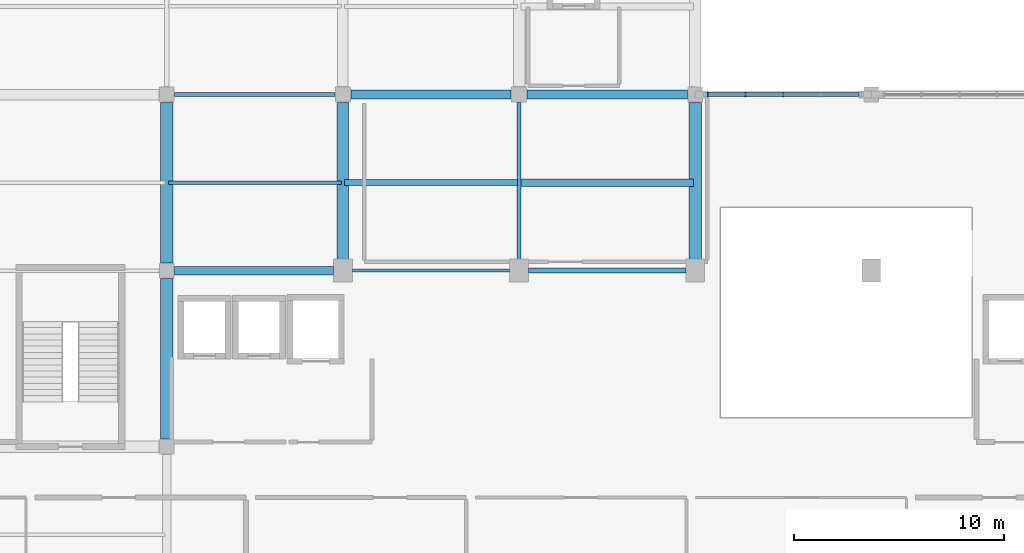
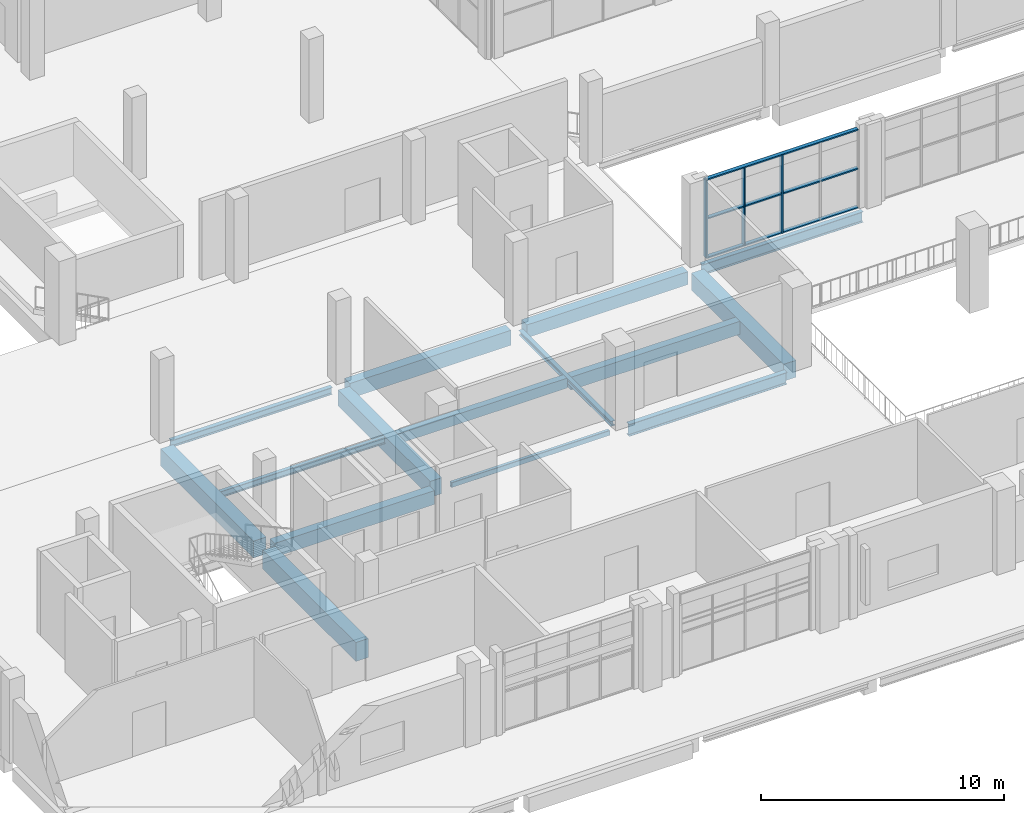
# One storey, part 12 of 59: 15 beams, 6 members, 1 element without a shape of its own.
"""IFC4 building model written with IfcOpenShell, lengths in metres."""

import ifcopenshell
import ifcopenshell.guid

model = None  # the IFC model being written
_history = None  # IfcOwnerHistory: only IFC2X3 demands one
_inside = {}  # id of a spatial element -> (the spatial element, [elements in it])
_under = {}  # id of a project, library or spatial element -> (it, [spatial elements below it])
_declared = {}  # id of a project -> (the project, [libraries it declares])
_typed = {}  # id of a type object -> (the type object, [elements of that type])
_made_of = {}  # id of a material, layer set ... -> (it, [elements and type objects made of it])


def new_model(schema):
    """Start an empty IFC model of exactly this schema.

    Asked for "IFC4X3", IfcOpenShell would pick the latest addendum, in which some entities
    have other attributes; the version numbers below select the first issue.
    IFC2X3 requires an IfcOwnerHistory on every rooted entity: one is made here for all.
    """
    global model, _history
    if schema == "IFC4X3":
        model = ifcopenshell.file(schema_version=(4, 3, 0, 0))
    else:
        model = ifcopenshell.file(schema=schema)
    _inside.clear()
    _under.clear()
    _declared.clear()
    _typed.clear()
    _made_of.clear()
    _history = None
    if model.schema == "IFC2X3":
        org = make("IfcOrganization", Name="unknown")
        user = make(
            "IfcPersonAndOrganization",
            ThePerson=make("IfcPerson", FamilyName="unknown"),
            TheOrganization=org,
        )
        app = make(
            "IfcApplication",
            ApplicationDeveloper=org,
            Version="unknown",
            ApplicationFullName="unknown",
            ApplicationIdentifier="unknown",
        )
        _history = make(
            "IfcOwnerHistory",
            OwningUser=user,
            OwningApplication=app,
            ChangeAction="ADDED",
            CreationDate=0,
        )
    return model


def make(cls, **values):
    """One entity of the class cls with the attributes given. An attribute that is None is left unset."""
    return model.create_entity(
        cls, **{name: value for name, value in values.items() if value is not None}
    )


def rooted(cls, **values):
    """An entity with a GlobalId (a new one), such as an element, a storey or a relation."""
    return make(cls, GlobalId=ifcopenshell.guid.new(), OwnerHistory=_history, **values)


def si_unit(unit_type, name, prefix=None):
    """IfcSIUnit, for example si_unit("LENGTHUNIT", "METRE", prefix="MILLI")."""
    return make("IfcSIUnit", UnitType=unit_type, Prefix=prefix, Name=name)


def derived_unit(unit_type, elements):
    """IfcDerivedUnit: a product of units, each with its exponent."""
    return make(
        "IfcDerivedUnit",
        Elements=[
            make("IfcDerivedUnitElement", Unit=unit, Exponent=power)
            for unit, power in elements
        ],
        UnitType=unit_type,
    )


def assignment(units):
    """IfcUnitAssignment: the units of a project."""
    return None if units is None else make("IfcUnitAssignment", Units=units)


def point(xyz):
    """IfcCartesianPoint."""
    return None if xyz is None else make("IfcCartesianPoint", Coordinates=xyz)


def direction(xyz):
    """IfcDirection."""
    return None if xyz is None else make("IfcDirection", DirectionRatios=xyz)


def frame(location, z_axis=None, x_axis=None):
    """IfcAxis2Placement3D, a coordinate frame: its origin and axes. An axis left out is left unset."""
    return make(
        "IfcAxis2Placement3D",
        Location=point(location),
        Axis=direction(z_axis),
        RefDirection=direction(x_axis),
    )


def frame_2d(location, x_axis=None):
    """IfcAxis2Placement2D, a coordinate frame in the plane: its origin and x axis."""
    return make(
        "IfcAxis2Placement2D", Location=point(location), RefDirection=direction(x_axis)
    )


def origin():
    """The frame at (0, 0, 0) with its axes left unset."""
    return frame((0.0, 0.0, 0.0))


def origin_2d():
    """The frame at (0, 0) in the plane with its x axis left unset."""
    return frame_2d((0.0, 0.0))


def place(relative_to, where):
    """IfcLocalPlacement: puts the frame where relative to a parent placement (None: the world)."""
    return make(
        "IfcLocalPlacement", PlacementRelTo=relative_to, RelativePlacement=where
    )


def context(
    kind, dimensions, precision=None, world=None, true_north=None, identifier=None
):
    """IfcGeometricRepresentationContext, for example the 3D "Model" context."""
    return make(
        "IfcGeometricRepresentationContext",
        ContextIdentifier=identifier,
        ContextType=kind,
        CoordinateSpaceDimension=dimensions,
        Precision=precision,
        WorldCoordinateSystem=world,
        TrueNorth=true_north,
    )


def subcontext(parent, identifier, kind, view, scale=None):
    """IfcGeometricRepresentationSubContext, for example "Body" below "Model"."""
    return make(
        "IfcGeometricRepresentationSubContext",
        ContextIdentifier=identifier,
        ContextType=kind,
        ParentContext=parent,
        TargetScale=scale,
        TargetView=view,
    )


def project(units=None, contexts=None):
    """IfcProject with its units and contexts."""
    return rooted(
        "IfcProject",
        Name="project",
        RepresentationContexts=contexts,
        UnitsInContext=assignment(units),
    )


def spatial(cls, under=None, at=None, **own):
    """A site, building, storey or space (cls), placed at a placement, below another one or the project."""
    s = rooted(cls, ObjectPlacement=at, **own)
    if under is not None:
        _under.setdefault(under.id(), (under, []))[1].append(s)
    return s


def profile(cls, at=None, kind="AREA", **sizes):
    """A parametric profile (cls). Its sizes go by their IFC names, for example OverallWidth=200.0."""
    return make(cls, ProfileType=kind, Position=at, **sizes)


def rectangle(**sizes):
    """IfcRectangleProfileDef."""
    return profile("IfcRectangleProfileDef", **sizes)


def hollow_rectangle(**sizes):
    """IfcRectangleHollowProfileDef."""
    return profile("IfcRectangleHollowProfileDef", **sizes)


def i_section(**sizes):
    """IfcIShapeProfileDef."""
    return profile("IfcIShapeProfileDef", **sizes)


def extrude(swept, where, along, depth):
    """IfcExtrudedAreaSolid: the profile swept, set in the frame where, extruded along a direction by depth."""
    return make(
        "IfcExtrudedAreaSolid",
        SweptArea=swept,
        Position=where,
        ExtrudedDirection=direction(along),
        Depth=depth,
    )


def shape(context_of_items, identifier, shape_type, items):
    """IfcShapeRepresentation: the items that make up one representation, for example the "Body"."""
    return make(
        "IfcShapeRepresentation",
        ContextOfItems=context_of_items,
        RepresentationIdentifier=identifier,
        RepresentationType=shape_type,
        Items=items,
    )


def material(Name=None, Category=None):
    """IfcMaterial."""
    return make("IfcMaterial", Name=Name, Category=Category)


def material_profile(
    of_material, cross_section, Name=None, Category=None, Priority=None
):
    """IfcMaterialProfile: a cross section and its material."""
    return make(
        "IfcMaterialProfile",
        Name=Name,
        Material=of_material,
        Profile=cross_section,
        Priority=Priority,
        Category=Category,
    )


def profile_set(profiles, Name=None, composite=None):
    """IfcMaterialProfileSet."""
    return make(
        "IfcMaterialProfileSet",
        Name=Name,
        MaterialProfiles=profiles,
        CompositeProfile=composite,
    )


def made_of(thing, what):
    """Note that an element or type object is made of a material, layer set ...; save() writes the relation."""
    if what is not None:
        _made_of.setdefault(what.id(), (what, []))[1].append(thing)
    return thing


def type_object(cls, material=None, **own):
    """A type object (cls), such as IfcWallType, which elements share."""
    return made_of(rooted(cls, **own), material)


def element(
    cls,
    number,
    at=None,
    inside=None,
    cuts=None,
    type_object=None,
    material=None,
    context=None,
    identifier="Body",
    shape_type=None,
    held_by="IfcProductDefinitionShape",
    body=None,
    shapes=None,
    **own,
):
    """One element of the class cls, such as IfcWall. Its Tag is "e" and its number.

    at: its placement. inside: the storey or other place that contains it. cuts: it is an
    opening in that element (IfcRelVoidsElement). A single representation is given by context,
    identifier, shape_type and body (its items); several are given by shapes. held_by: the class
    of the entity that holds the representations. save() writes the other relations.
    """
    e = rooted(cls, Tag="e%d" % number, ObjectPlacement=at, **own)
    if body is not None:
        shapes = [shape(context, identifier, shape_type, body)]
    if shapes is not None:
        e.Representation = make(held_by, Representations=shapes)
    if inside is not None:
        _inside.setdefault(inside.id(), (inside, []))[1].append(e)
    if cuts is not None:
        rooted(
            "IfcRelVoidsElement", RelatingBuildingElement=cuts, RelatedOpeningElement=e
        )
    if type_object is not None:
        _typed.setdefault(type_object.id(), (type_object, []))[1].append(e)
    return made_of(e, material)


def aggregate(whole, parts):
    """IfcRelAggregates: a whole, such as a stair, and the parts it consists of."""
    return rooted("IfcRelAggregates", RelatingObject=whole, RelatedObjects=parts)


def save(model, path):
    """Write the relations noted so far, then the file.

    IfcRelAggregates (storeys below a building ...), IfcRelContainedInSpatialStructure (elements
    in a storey), IfcRelDefinesByType, IfcRelAssociatesMaterial and IfcRelDeclares: one each for
    every whole, place, type object, material and project.
    """
    for whole, parts in _under.values():
        aggregate(whole, parts)
    for where, things in _inside.values():
        rooted(
            "IfcRelContainedInSpatialStructure",
            RelatedElements=things,
            RelatingStructure=where,
        )
    for kind, things in _typed.values():
        rooted("IfcRelDefinesByType", RelatedObjects=things, RelatingType=kind)
    for what, things in _made_of.values():
        rooted("IfcRelAssociatesMaterial", RelatedObjects=things, RelatingMaterial=what)
    for by, libraries in _declared.values():
        rooted("IfcRelDeclares", RelatingContext=by, RelatedDefinitions=libraries)
    model.write(path)


model = new_model("IFC4")

# Units and contexts
model_context = context("Model", 3, precision=1e-05, world=origin(), true_north=direction((0.0, 1.0)))
body_context = subcontext(model_context, "Body", "Model", "MODEL_VIEW")
ifc_project = project(units=[si_unit("LENGTHUNIT", "METRE"), si_unit("AREAUNIT", "SQUARE_METRE"), si_unit("VOLUMEUNIT", "CUBIC_METRE"), si_unit("PLANEANGLEUNIT", "RADIAN"), si_unit("MASSUNIT", "GRAM", prefix="KILO"), derived_unit("THERMALTRANSMITTANCEUNIT", [(si_unit("POWERUNIT", "WATT"), 1), (si_unit("LENGTHUNIT", "METRE"), -2), (si_unit("THERMODYNAMICTEMPERATUREUNIT", "KELVIN"), -1)])], contexts=[model_context])

# Site, building, storey
site_placement = place(None, origin())
site = spatial("IfcSite", under=ifc_project, at=site_placement, CompositionType="ELEMENT")
building_placement = place(site_placement, origin())
building = spatial("IfcBuilding", under=site, at=building_placement, Name="Barrovel Congress Hotel", CompositionType="ELEMENT")
storey_placement = place(building_placement, frame((0.0, 0.0, 9.89990234375)))
storey = spatial("IfcBuildingStorey", under=building, at=storey_placement, Name="L02", CompositionType="ELEMENT", Elevation=9.89990234375)

# Beams
ifc_material_1 = material(Name="Concrete C40", Category="concrete")
ifc_material_profile_1 = material_profile(ifc_material_1, rectangle(XDim=0.300048828125, YDim=0.5, at=origin_2d()), Name="RC300x500")
ifc_profile_set_1 = profile_set([ifc_material_profile_1], Name="Concrete C40")
beam_type_1 = type_object("IfcBeamType", Name="BM-RC300x500", PredefinedType="JOIST", material=ifc_profile_set_1)
beam_1_placement = place(storey_placement, frame((42.080078125, 25.199951171875, -0.510009765625), z_axis=(1.0, 0.0, 0.0), x_axis=(0.0, 1.0, 0.0)))
element("IfcBeam", 1, at=beam_1_placement, inside=storey, type_object=beam_type_1, Name="JST:L02:42.0:25.2", PredefinedType="JOIST", context=body_context, shape_type="SweptSolid", body=[
    extrude(rectangle(XDim=0.300048828125, YDim=0.5, at=origin_2d()), origin(), (0.0, 0.0, 1.0), 8.239990234375),
])
ifc_material_profile_2 = material_profile(ifc_material_1, rectangle(XDim=0.35009765625, YDim=0.64990234375, at=origin_2d()), Name="RC350x650")
ifc_profile_set_2 = profile_set([ifc_material_profile_2], Name="Concrete C40")
beam_type_2 = type_object("IfcBeamType", Name="BM-RC350x650", PredefinedType="JOIST", material=ifc_profile_set_2)
beam_2_placement = place(storey_placement, frame((50.47998046875, 25.199951171875, -0.5849609375), z_axis=(1.0, 0.0, 0.0), x_axis=(0.0, 1.0, 0.0)))
element("IfcBeam", 2, at=beam_2_placement, inside=storey, type_object=beam_type_2, Name="JST:L02:50.4:25.2", PredefinedType="JOIST", context=body_context, shape_type="SweptSolid", body=[
    extrude(rectangle(XDim=0.35009765625, YDim=0.64990234375, at=origin_2d()), origin(), (0.0, 0.0, 1.0), 8.239990234375),
])
ifc_material_profile_3 = material_profile(ifc_material_1, rectangle(XDim=0.39990234375, YDim=0.699951171875, at=origin_2d()), Name="RC400x700")
ifc_profile_set_3 = profile_set([ifc_material_profile_3], Name="Concrete C40")
beam_type_3 = type_object("IfcBeamType", Name="BM-RC400x700", PredefinedType="BEAM", material=ifc_profile_set_3)
beam_3_placement = place(storey_placement, frame((33.97509765625, 21.0, -0.60986328125), z_axis=(1.0, 0.0, 0.0), x_axis=(0.0, 1.0, 0.0)))
element("IfcBeam", 3, at=beam_3_placement, inside=storey, type_object=beam_type_3, Name="BMX:L02:21.0:33.6-42.0", PredefinedType="BEAM", context=body_context, shape_type="SweptSolid", body=[
    extrude(rectangle(XDim=0.39990234375, YDim=0.699951171875, at=origin_2d()), origin(), (0.0, 0.0, 1.0), 7.574951171875),
])
ifc_material_profile_4 = material_profile(ifc_material_1, rectangle(XDim=0.449951171875, YDim=0.64990234375, at=origin_2d()), Name="RC450x650")
ifc_profile_set_4 = profile_set([ifc_material_profile_4], Name="Concrete C40")
beam_type_4 = type_object("IfcBeamType", Name="BM-RC450x650", PredefinedType="BEAM", material=ifc_profile_set_4)
beam_4_placement = place(storey_placement, frame((50.77490234375, 29.39990234375, -0.5849609375), z_axis=(1.0, 0.0, 0.0), x_axis=(0.0, 1.0, 0.0)))
element("IfcBeam", 4, at=beam_4_placement, inside=storey, type_object=beam_type_4, Name="BMX:L02:29.4:50.4-58.8", PredefinedType="BEAM", context=body_context, shape_type="SweptSolid", body=[
    extrude(rectangle(XDim=0.449951171875, YDim=0.64990234375, at=origin_2d()), origin(), (0.0, 0.0, 1.0), 7.650146484375),
])
ifc_material_profile_5 = material_profile(ifc_material_1, rectangle(XDim=0.449951171875, YDim=0.75, at=origin_2d()), Name="RC450x750")
ifc_profile_set_5 = profile_set([ifc_material_profile_5], Name="Concrete C40")
beam_type_5 = type_object("IfcBeamType", Name="BM-RC450x750", PredefinedType="BEAM", material=ifc_profile_set_5)
beam_5_placement = place(storey_placement, frame((42.375, 29.39990234375, -0.635009765625), z_axis=(1.0, 0.0, 0.0), x_axis=(0.0, 1.0, 0.0)))
element("IfcBeam", 5, at=beam_5_placement, inside=storey, type_object=beam_type_5, Name="BMX:L02:29.4:42.0-50.4", PredefinedType="BEAM", context=body_context, shape_type="SweptSolid", body=[
    extrude(rectangle(XDim=0.449951171875, YDim=0.75, at=origin_2d()), origin(), (0.0, 0.0, 1.0), 7.64990234375),
])
ifc_material_profile_6 = material_profile(ifc_material_1, rectangle(XDim=0.550048828125, YDim=0.800048828125, at=origin_2d()), Name="RC550x800")
ifc_profile_set_6 = profile_set([ifc_material_profile_6], Name="Concrete C40")
beam_type_6 = type_object("IfcBeamType", Name="BM-RC550x800", PredefinedType="BEAM", material=ifc_profile_set_6)
beam_6_placement = place(storey_placement, frame((42.0, 21.449951171875, -0.659912109375), z_axis=(0.0, 1.0, 0.0), x_axis=(-1.0, 0.0, 0.0)))
element("IfcBeam", 6, at=beam_6_placement, inside=storey, type_object=beam_type_6, Name="BMY:L02:42.0:21.0-29.4", PredefinedType="BEAM", context=body_context, shape_type="SweptSolid", body=[
    extrude(rectangle(XDim=0.550048828125, YDim=0.800048828125, at=origin_2d()), origin(), (0.0, 0.0, 1.0), 7.574951171875),
])
ifc_material_profile_7 = material_profile(ifc_material_1, rectangle(XDim=0.60009765625, YDim=0.85009765625, at=origin_2d()), Name="RC600x850")
ifc_profile_set_7 = profile_set([ifc_material_profile_7], Name="Concrete C40")
beam_type_7 = type_object("IfcBeamType", Name="BM-RC600x850", PredefinedType="BEAM", material=ifc_profile_set_7)
beam_7_placement = place(storey_placement, frame((33.60009765625, 21.375, -0.684814453125), z_axis=(0.0, 1.0, 0.0), x_axis=(-1.0, 0.0, 0.0)))
element("IfcBeam", 7, at=beam_7_placement, inside=storey, type_object=beam_type_7, Name="BMY:L02:33.6:21.0-29.4", PredefinedType="BEAM", context=body_context, shape_type="SweptSolid", body=[
    extrude(rectangle(XDim=0.60009765625, YDim=0.85009765625, at=origin_2d()), origin(), (0.0, 0.0, 1.0), 7.64990234375),
])
beam_8_placement = place(storey_placement, frame((58.800048828125, 21.449951171875, -0.684814453125), z_axis=(0.0, 1.0, 0.0), x_axis=(-1.0, 0.0, 0.0)))
element("IfcBeam", 8, at=beam_8_placement, inside=storey, type_object=beam_type_7, Name="BMY:L02:58.8:21.0-29.4", PredefinedType="BEAM", context=body_context, shape_type="SweptSolid", body=[
    extrude(rectangle(XDim=0.60009765625, YDim=0.85009765625, at=origin_2d()), origin(), (0.0, 0.0, 1.0), 7.574951171875),
])
ifc_material_profile_8 = material_profile(ifc_material_1, rectangle(XDim=0.60009765625, YDim=0.949951171875, at=origin_2d()), Name="RC600x950")
ifc_profile_set_8 = profile_set([ifc_material_profile_8], Name="Concrete C40")
beam_type_8 = type_object("IfcBeamType", Name="BM-RC600x950", PredefinedType="BEAM", material=ifc_profile_set_8)
beam_9_placement = place(storey_placement, frame((33.60009765625, 12.97509765625, -0.73486328125), z_axis=(0.0, 1.0, 0.0), x_axis=(-1.0, 0.0, 0.0)))
element("IfcBeam", 9, at=beam_9_placement, inside=storey, type_object=beam_type_8, Name="BMY:L02:33.6:12.6-21.0", PredefinedType="BEAM", context=body_context, shape_type="SweptSolid", body=[
    extrude(rectangle(XDim=0.60009765625, YDim=0.949951171875, at=origin_2d()), origin(), (0.0, 0.0, 1.0), 7.64990234375),
])

# Curtain wall, members
ifc_material_2 = material(Name="Anodised Aluminium Alloy 6063-T6", Category="aluminium")
curtain_wall_type = type_object("IfcCurtainWallType", Name="CW-ST-7200x3600", PredefinedType="USERDEFINED", material=ifc_material_2)
curtain_wall_placement = place(storey_placement, origin())
curtain_wall = element("IfcCurtainWall", 10, at=curtain_wall_placement, inside=storey, type_object=curtain_wall_type, Name="CW:L02:CS:07", ObjectType="STICK CURTAIN WALL", PredefinedType="USERDEFINED")
ifc_material_profile_9 = material_profile(ifc_material_2, rectangle(XDim=0.06494140625, YDim=0.219970703125, at=origin_2d()), Name="AL-M65x220")
ifc_profile_set_9 = profile_set([ifc_material_profile_9], Name="Anodised Aluminium Alloy 6063-T6")
member_type_1 = type_object("IfcMemberType", Name="CWM-AL-M65x220", PredefinedType="MULLION", material=ifc_profile_set_9)
member_1_placement = place(storey_placement, frame((63.0, 29.39990234375, 0.0), z_axis=(0.0, 0.0, 1.0), x_axis=(1.0, 0.0, 0.0)))
member_1 = element("IfcMember", 11, at=member_1_placement, type_object=member_type_1, Name="CW:L02:CS:07:M2", PredefinedType="MULLION", context=body_context, shape_type="SweptSolid", body=[
    extrude(rectangle(XDim=0.06494140625, YDim=0.219970703125, at=origin_2d()), origin(), (0.0, 0.0, 1.0), 3.920166015625),
])
member_2_placement = place(storey_placement, frame((61.199951171875, 29.39990234375, 0.0), z_axis=(0.0, 0.0, 1.0), x_axis=(1.0, 0.0, 0.0)))
member_2 = element("IfcMember", 12, at=member_2_placement, type_object=member_type_1, Name="CW:L02:CS:07:M3", PredefinedType="MULLION", context=body_context, shape_type="SweptSolid", body=[
    extrude(rectangle(XDim=0.06494140625, YDim=0.219970703125, at=origin_2d()), origin(), (0.0, 0.0, 1.0), 3.920166015625),
])
member_3_placement = place(storey_placement, frame((59.39990234375, 29.39990234375, 0.0), z_axis=(0.0, 0.0, 1.0), x_axis=(1.0, 0.0, 0.0)))
member_3 = element("IfcMember", 13, at=member_3_placement, type_object=member_type_1, Name="CW:L02:CS:07:M4", PredefinedType="MULLION", context=body_context, shape_type="SweptSolid", body=[
    extrude(rectangle(XDim=0.06494140625, YDim=0.219970703125, at=origin_2d()), origin(), (0.0, 0.0, 1.0), 3.920166015625),
])
ifc_material_profile_10 = material_profile(ifc_material_2, rectangle(XDim=0.179931640625, YDim=0.06494140625, at=origin_2d()), Name="AL-T65x180")
ifc_profile_set_10 = profile_set([ifc_material_profile_10], Name="Anodised Aluminium Alloy 6063-T6")
member_type_2 = type_object("IfcMemberType", Name="CWT-AL-T65x180", PredefinedType="USERDEFINED", material=ifc_profile_set_10)
member_4_placement = place(storey_placement, frame((66.60009765625, 29.39990234375, 0.0), z_axis=(-1.0, 0.0, 0.0), x_axis=(0.0, -1.0, 0.0)))
member_4 = element("IfcMember", 14, at=member_4_placement, type_object=member_type_2, Name="CW:L02:CS:07:T0", ObjectType="TRANSOM", PredefinedType="USERDEFINED", context=body_context, shape_type="SweptSolid", body=[
    extrude(rectangle(XDim=0.179931640625, YDim=0.06494140625, at=origin_2d()), origin(), (0.0, 0.0, 1.0), 7.2001953125),
])
member_5_placement = place(storey_placement, frame((66.60009765625, 29.39990234375, 1.960205078125), z_axis=(-1.0, 0.0, 0.0), x_axis=(0.0, -1.0, 0.0)))
member_5 = element("IfcMember", 15, at=member_5_placement, type_object=member_type_2, Name="CW:L02:CS:07:T1", ObjectType="TRANSOM", PredefinedType="USERDEFINED", context=body_context, shape_type="SweptSolid", body=[
    extrude(rectangle(XDim=0.179931640625, YDim=0.06494140625, at=origin_2d()), origin(), (0.0, 0.0, 1.0), 7.2001953125),
])
member_6_placement = place(storey_placement, frame((66.60009765625, 29.39990234375, 3.920166015625), z_axis=(-1.0, 0.0, 0.0), x_axis=(0.0, -1.0, 0.0)))
member_6 = element("IfcMember", 16, at=member_6_placement, type_object=member_type_2, Name="CW:L02:CS:07:T2", ObjectType="TRANSOM", PredefinedType="USERDEFINED", context=body_context, shape_type="SweptSolid", body=[
    extrude(rectangle(XDim=0.179931640625, YDim=0.06494140625, at=origin_2d()), origin(), (0.0, 0.0, 1.0), 7.2001953125),
])
aggregate(curtain_wall, [member_1, member_2, member_3, member_4, member_5, member_6])

# Beams
ifc_material_3 = material(Name="Steel ASTM A500 Grade C", Category="steel")
ifc_material_profile_11 = material_profile(ifc_material_3, hollow_rectangle(XDim=0.15234375, YDim=0.25390625, WallThickness=0.0087890625, InnerFilletRadius=0.0087890625, OuterFilletRadius=0.017578125, at=origin_2d()), Name="HSS254x152x9.5")
ifc_profile_set_11 = profile_set([ifc_material_profile_11], Name="Steel ASTM A500 Grade C")
beam_type_9 = type_object("IfcBeamType", Name="SBM-HSS254x152x9.5", PredefinedType="SPANDREL", material=ifc_profile_set_11)
beam_10_placement = place(storey_placement, frame((42.449951171875, 21.0, -0.386962890625), z_axis=(1.0, 0.0, 0.0), x_axis=(0.0, 1.0, 0.0)))
element("IfcBeam", 17, at=beam_10_placement, inside=storey, type_object=beam_type_9, Name="BMX:L02:21.0:42.0-50.4", PredefinedType="SPANDREL", context=body_context, shape_type="SweptSolid", body=[
    extrude(hollow_rectangle(XDim=0.15234375, YDim=0.25390625, WallThickness=0.0087890625, InnerFilletRadius=0.0087890625, OuterFilletRadius=0.017578125, at=origin_2d()), origin(), (0.0, 0.0, 1.0), 7.5),
])
ifc_material_4 = material(Name="Steel ASTM A992 Grade 50", Category="steel")
ifc_material_profile_12 = material_profile(ifc_material_4, i_section(OverallWidth=0.201904296875, OverallDepth=0.2470703125, WebThickness=0.00732421875, FlangeThickness=0.010986328125, FilletRadius=0.011962890625, at=origin_2d()), Name="W250x49")
ifc_profile_set_12 = profile_set([ifc_material_profile_12], Name="Steel ASTM A992 Grade 50")
beam_type_10 = type_object("IfcBeamType", Name="SBM-W250x49", PredefinedType="SPANDREL", material=ifc_profile_set_12)
beam_11_placement = place(storey_placement, frame((50.39990234375, 21.449951171875, -0.38330078125), z_axis=(0.0, 1.0, 0.0), x_axis=(-1.0, 0.0, 0.0)))
element("IfcBeam", 18, at=beam_11_placement, inside=storey, type_object=beam_type_10, Name="BMY:L02:50.4:21.0-29.4", PredefinedType="SPANDREL", context=body_context, shape_type="SweptSolid", body=[
    extrude(i_section(OverallWidth=0.201904296875, OverallDepth=0.2470703125, WebThickness=0.00732421875, FlangeThickness=0.010986328125, FilletRadius=0.011962890625, at=origin_2d()), origin(), (0.0, 0.0, 1.0), 7.574951171875),
])
ifc_material_profile_13 = material_profile(ifc_material_4, i_section(OverallWidth=0.1669921875, OverallDepth=0.31689453125, WebThickness=0.007568359375, FlangeThickness=0.01318359375, FilletRadius=0.010986328125, at=origin_2d()), Name="W310x52")
ifc_profile_set_13 = profile_set([ifc_material_profile_13], Name="Steel ASTM A992 Grade 50")
beam_type_11 = type_object("IfcBeamType", Name="SBM-W310x52", PredefinedType="JOIST", material=ifc_profile_set_13)
beam_12_placement = place(storey_placement, frame((33.679931640625, 25.199951171875, -0.41845703125), z_axis=(1.0, 0.0, 0.0), x_axis=(0.0, 1.0, 0.0)))
element("IfcBeam", 19, at=beam_12_placement, inside=storey, type_object=beam_type_11, Name="JST:L02:33.6:25.2", PredefinedType="JOIST", context=body_context, shape_type="SweptSolid", body=[
    extrude(i_section(OverallWidth=0.1669921875, OverallDepth=0.31689453125, WebThickness=0.007568359375, FlangeThickness=0.01318359375, FilletRadius=0.010986328125, at=origin_2d()), origin(), (0.0, 0.0, 1.0), 8.239990234375),
])
ifc_material_profile_14 = material_profile(ifc_material_4, i_section(OverallWidth=0.205078125, OverallDepth=0.35400390625, WebThickness=0.009521484375, FlangeThickness=0.016845703125, FilletRadius=0.012939453125, at=origin_2d()), Name="W360x79")
ifc_profile_set_14 = profile_set([ifc_material_profile_14], Name="Steel ASTM A992 Grade 50")
beam_type_12 = type_object("IfcBeamType", Name="SBM-W360x79", PredefinedType="BEAM", material=ifc_profile_set_14)
beam_13_placement = place(storey_placement, frame((33.97509765625, 29.39990234375, -0.43701171875), z_axis=(1.0, 0.0, 0.0), x_axis=(0.0, 1.0, 0.0)))
element("IfcBeam", 20, at=beam_13_placement, inside=storey, type_object=beam_type_12, Name="BMX:L02:29.4:33.6-42.0", PredefinedType="BEAM", context=body_context, shape_type="SweptSolid", body=[
    extrude(i_section(OverallWidth=0.205078125, OverallDepth=0.35400390625, WebThickness=0.009521484375, FlangeThickness=0.016845703125, FilletRadius=0.012939453125, at=origin_2d()), origin(), (0.0, 0.0, 1.0), 7.64990234375),
])
ifc_material_profile_15 = material_profile(ifc_material_4, i_section(OverallWidth=0.208984375, OverallDepth=0.532958984375, WebThickness=0.01025390625, FlangeThickness=0.015625, FilletRadius=0.013916015625, at=origin_2d()), Name="W530x92")
ifc_profile_set_15 = profile_set([ifc_material_profile_15], Name="Steel ASTM A992 Grade 50")
beam_type_13 = type_object("IfcBeamType", Name="SBM-W530x92", PredefinedType="BEAM", material=ifc_profile_set_15)
beam_14_placement = place(storey_placement, frame((59.175048828125, 29.39990234375, -0.5263671875), z_axis=(1.0, 0.0, 0.0), x_axis=(0.0, 1.0, 0.0)))
element("IfcBeam", 21, at=beam_14_placement, inside=storey, type_object=beam_type_13, Name="BMX:L02:29.4:58.8-67.2", PredefinedType="BEAM", context=body_context, shape_type="SweptSolid", body=[
    extrude(i_section(OverallWidth=0.208984375, OverallDepth=0.532958984375, WebThickness=0.01025390625, FlangeThickness=0.015625, FilletRadius=0.013916015625, at=origin_2d()), origin(), (0.0, 0.0, 1.0), 7.64990234375),
])
ifc_material_profile_16 = material_profile(ifc_material_4, i_section(OverallWidth=0.22802734375, OverallDepth=0.60302734375, WebThickness=0.010498046875, FlangeThickness=0.014892578125, FilletRadius=0.014892578125, at=origin_2d()), Name="W610x101")
ifc_profile_set_16 = profile_set([ifc_material_profile_16], Name="Steel ASTM A992 Grade 50")
beam_type_14 = type_object("IfcBeamType", Name="SBM-W610x101", PredefinedType="BEAM", material=ifc_profile_set_16)
beam_15_placement = place(storey_placement, frame((50.85009765625, 21.0, -0.5615234375), z_axis=(1.0, 0.0, 0.0), x_axis=(0.0, 1.0, 0.0)))
element("IfcBeam", 22, at=beam_15_placement, inside=storey, type_object=beam_type_14, Name="BMX:L02:21.0:50.4-58.8", PredefinedType="BEAM", context=body_context, shape_type="SweptSolid", body=[
    extrude(i_section(OverallWidth=0.22802734375, OverallDepth=0.60302734375, WebThickness=0.010498046875, FlangeThickness=0.014892578125, FilletRadius=0.014892578125, at=origin_2d()), origin(), (0.0, 0.0, 1.0), 7.5),
])

save(model, "model.ifc")
